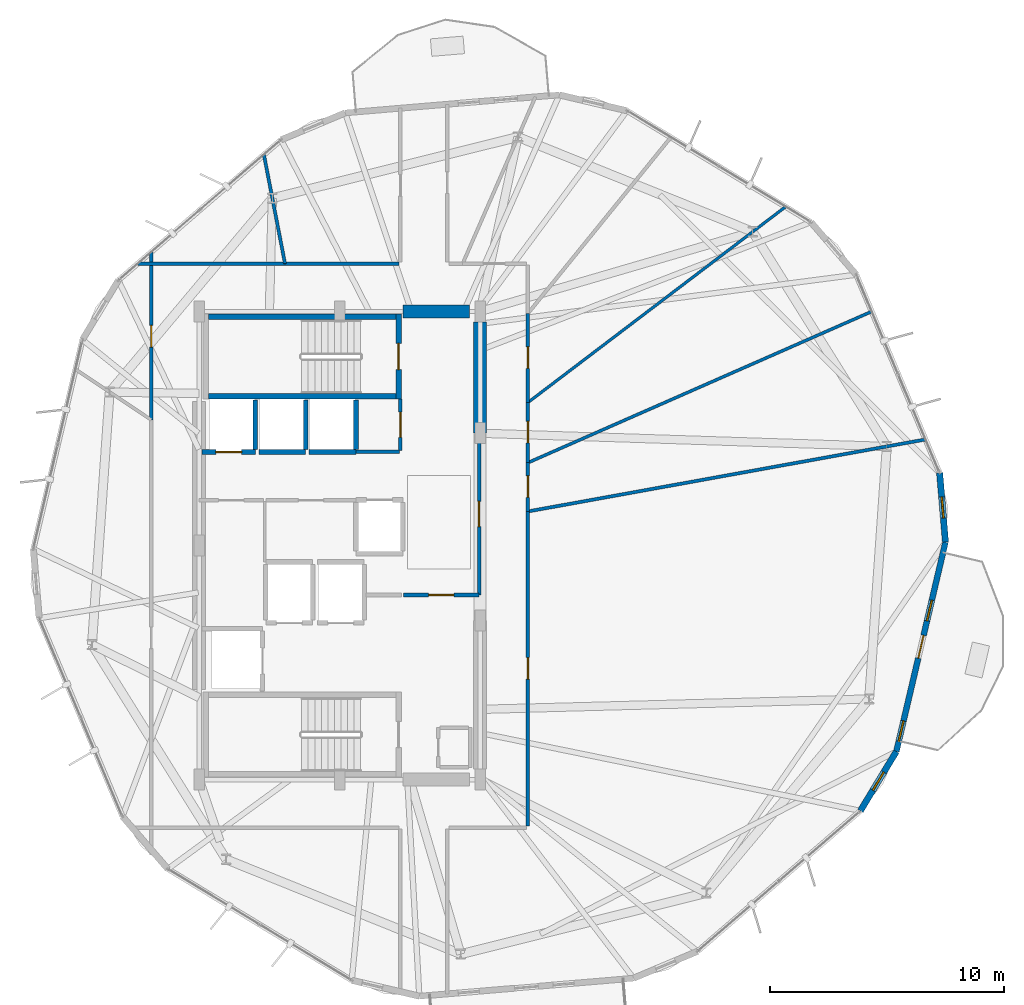
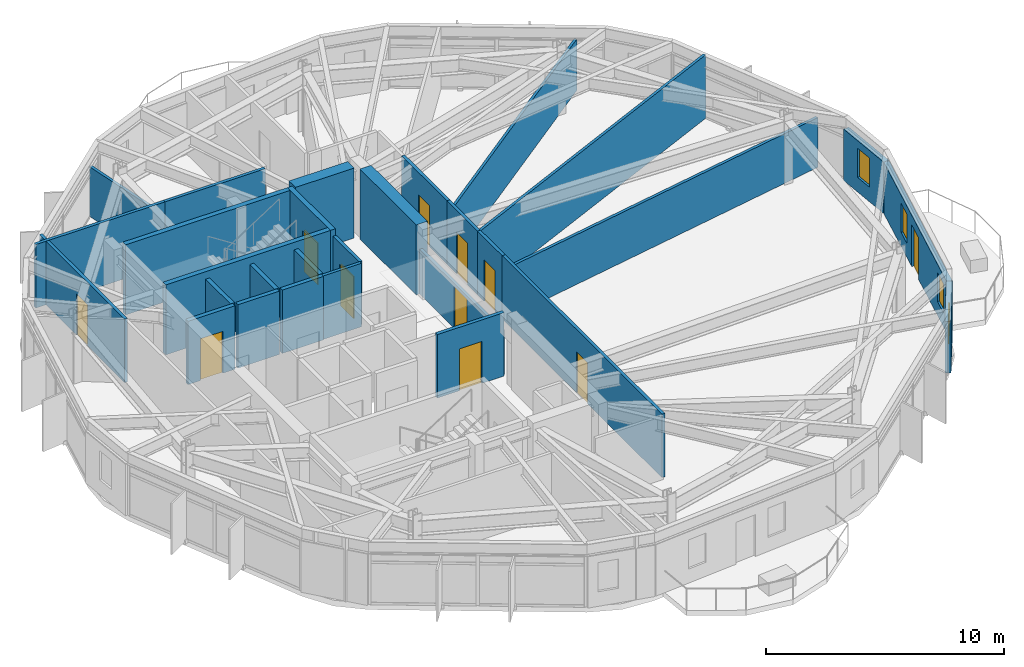
# One storey, part 23 of 27: 29 walls, 11 doors, 4 windows, 15 openings.
"""IFC4 building model written with IfcOpenShell, lengths in metres."""

from ifc_helpers import new_model, si_unit, direction, frame, frame_2d, origin, place, context, subcontext, project, spatial, rectangle, extrude, material, layer, layer_set, type_object, element, fill, save


model = new_model("IFC4")

# Units and contexts
model_context = context("Model", 3, precision=1e-05, world=origin(), true_north=direction((0.0, 1.0)))
body_context = subcontext(model_context, "Body", "Model", "MODEL_VIEW")
ifc_project = project(units=[si_unit("LENGTHUNIT", "METRE"), si_unit("AREAUNIT", "SQUARE_METRE"), si_unit("VOLUMEUNIT", "CUBIC_METRE"), si_unit("PLANEANGLEUNIT", "RADIAN"), si_unit("MASSUNIT", "GRAM", prefix="KILO")], contexts=[model_context])

# Site, building, storey
site_placement = place(None, origin())
site = spatial("IfcSite", under=ifc_project, at=site_placement, CompositionType="ELEMENT")
building_placement = place(site_placement, origin())
building = spatial("IfcBuilding", under=site, at=building_placement, Name="Soratama Intermodal Tower", CompositionType="ELEMENT")
storey_placement = place(building_placement, frame((0.0, 0.0, 182.199951171875)))
storey = spatial("IfcBuildingStorey", under=building, at=storey_placement, Name="L45", CompositionType="ELEMENT", Elevation=182.199951171875)

# Wall, openings, door, windows
ifc_material_1 = material(Name="Concrete f'c 42 MPa", Category="concrete")
ifc_layer_1 = layer(ifc_material_1, 0.25)
ifc_layer_set_1 = layer_set([ifc_layer_1], Name="Concrete f'c 42 MPa")
wall_type_1 = type_object("IfcWallType", Name="EW-BAL-250", PredefinedType="SOLIDWALL", material=ifc_layer_set_1)
wall_1_placement = place(storey_placement, frame((62.3896484375, 16.20263671875, 0.0), z_axis=(0.0, 0.0, 1.0), x_axis=(0.228355040526, 0.973577924702, 0.0)))
wall_1 = element("IfcWall", 1, at=wall_1_placement, inside=storey, type_object=wall_type_1, Name="L45 Terrace Wall F09", PredefinedType="SOLIDWALL", context=body_context, shape_type="SweptSolid", body=[
    extrude(rectangle(XDim=9.18798828125, YDim=0.25, at=frame_2d((4.593994140625, 0.0))), origin(), (0.0, 0.0, 1.0), 2.63916015625),
])
opening_1_placement = place(wall_1_placement, frame((4.093994140625, 0.0, 0.0)))
opening_1 = element("IfcOpeningElement", 2, at=opening_1_placement, cuts=wall_1, Name="Opening ED-2", PredefinedType="OPENING", context=body_context, shape_type="SweptSolid", body=[
    extrude(rectangle(XDim=1.0, YDim=2.14990234375, at=frame_2d((0.5, 1.074951171875))), frame((0.0, 0.135009765625, 0.0), z_axis=(0.0, -1.0, 0.0), x_axis=(1.0, 0.0, 0.0)), (0.0, 0.0, 1.0), 0.27001953125),
])
opening_2_placement = place(wall_1_placement, frame((0.43994140625, 0.0, 0.719970703125)))
opening_2 = element("IfcOpeningElement", 3, at=opening_2_placement, cuts=wall_1, Name="Opening WN-6", PredefinedType="OPENING", context=body_context, shape_type="SweptSolid", body=[
    extrude(rectangle(XDim=0.89990234375, YDim=1.5, at=frame_2d((0.449951171875, 0.75))), frame((0.0, 0.135009765625, 0.0), z_axis=(0.0, -1.0, 0.0), x_axis=(1.0, 0.0, 0.0)), (0.0, 0.0, 1.0), 0.27001953125),
])
opening_3_placement = place(wall_1_placement, frame((5.73388671875, 0.0, 0.719970703125)))
opening_3 = element("IfcOpeningElement", 4, at=opening_3_placement, cuts=wall_1, Name="Opening WN-6", PredefinedType="OPENING", context=body_context, shape_type="SweptSolid", body=[
    extrude(rectangle(XDim=0.89990234375, YDim=1.5, at=frame_2d((0.449951171875, 0.75))), frame((0.0, 0.135009765625, 0.0), z_axis=(0.0, -1.0, 0.0), x_axis=(1.0, 0.0, 0.0)), (0.0, 0.0, 1.0), 0.27001953125),
])
ifc_material_2 = material(Name="Double-glazed aluminium door", Category="aluminium")
door_type_1 = type_object("IfcDoorType", Name="DR-BAL-1000", OperationType="NOTDEFINED", PredefinedType="DOOR", material=ifc_material_2)
door_1_placement = place(opening_1_placement, origin())
door_1 = element("IfcDoor", 5, at=door_1_placement, inside=storey, type_object=door_type_1, Name="L45 Balcony Door F09", OperationType="SINGLE_SWING_LEFT", OverallHeight=2.14990234375, OverallWidth=1.0, PredefinedType="DOOR", context=body_context, shape_type="SweptSolid", body=[
    extrude(rectangle(XDim=1.0, YDim=2.14990234375, at=frame_2d((0.5, 1.074951171875))), frame((0.0, 0.02490234375, 0.0), z_axis=(0.0, -1.0, 0.0), x_axis=(1.0, 0.0, 0.0)), (0.0, 0.0, 1.0), 0.050048828125),
])
fill(opening_1, door_1)
ifc_material_3 = material(Name="Double-glazed aluminium window", Category="aluminium")
window_type = type_object("IfcWindowType", Name="WN-FAC-900", PartitioningType="SINGLE_PANEL", PredefinedType="WINDOW", material=ifc_material_3)
window_1_placement = place(opening_2_placement, origin())
window_1 = element("IfcWindow", 6, at=window_1_placement, inside=storey, type_object=window_type, Name="L45 Window A F09", OverallHeight=1.5, OverallWidth=0.89990234375, PartitioningType="SINGLE_PANEL", PredefinedType="WINDOW", context=body_context, shape_type="SweptSolid", body=[
    extrude(rectangle(XDim=0.89990234375, YDim=1.5, at=frame_2d((0.449951171875, 0.75))), frame((0.0, 0.030029296875, 0.0), z_axis=(0.0, -1.0, 0.0), x_axis=(1.0, 0.0, 0.0)), (0.0, 0.0, 1.0), 0.06005859375),
])
fill(opening_2, window_1)
window_2_placement = place(opening_3_placement, origin())
window_2 = element("IfcWindow", 7, at=window_2_placement, inside=storey, type_object=window_type, Name="L45 Window B F09", OverallHeight=1.5, OverallWidth=0.89990234375, PartitioningType="SINGLE_PANEL", PredefinedType="WINDOW", context=body_context, shape_type="SweptSolid", body=[
    extrude(rectangle(XDim=0.89990234375, YDim=1.5, at=frame_2d((0.449951171875, 0.75))), frame((0.0, 0.030029296875, 0.0), z_axis=(0.0, -1.0, 0.0), x_axis=(1.0, 0.0, 0.0)), (0.0, 0.0, 1.0), 0.06005859375),
])
fill(opening_3, window_2)

# Wall, opening, window
ifc_material_4 = material(Name="Concrete f'c 42 MPa", Category="concrete")
ifc_layer_2 = layer(ifc_material_4, 0.27001953125)
ifc_layer_set_2 = layer_set([ifc_layer_2], Name="Concrete f'c 42 MPa")
wall_type_2 = type_object("IfcWallType", Name="EW-CRN-270", PredefinedType="SOLIDWALL", material=ifc_layer_set_2)
wall_2_placement = place(storey_placement, frame((60.852783203125, 13.6650390625, 0.0), z_axis=(0.0, 0.0, 1.0), x_axis=(0.518037235883, 0.855358066683, 0.0)))
wall_2 = element("IfcWall", 8, at=wall_2_placement, inside=storey, type_object=wall_type_2, Name="L45 Corner Closure Wall 08", PredefinedType="SOLIDWALL", context=body_context, shape_type="SweptSolid", body=[
    extrude(rectangle(XDim=2.966796875, YDim=0.27001953125, at=frame_2d((1.4833984375, 0.0))), origin(), (0.0, 0.0, 1.0), 2.63916015625),
])
opening_4_placement = place(wall_2_placement, frame((1.033203125, 0.0, 0.75)))
opening_4 = element("IfcOpeningElement", 9, at=opening_4_placement, cuts=wall_2, Name="Opening WN-6", PredefinedType="OPENING", context=body_context, shape_type="SweptSolid", body=[
    extrude(rectangle(XDim=0.89990234375, YDim=1.5, at=frame_2d((0.449951171875, 0.75))), frame((0.0, 0.14501953125, 0.0), z_axis=(0.0, -1.0, 0.0), x_axis=(1.0, 0.0, 0.0)), (0.0, 0.0, 1.0), 0.2900390625),
])
window_3_placement = place(opening_4_placement, origin())
window_3 = element("IfcWindow", 10, at=window_3_placement, inside=storey, type_object=window_type, Name="L45 Corner Window 08", OverallHeight=1.5, OverallWidth=0.89990234375, PartitioningType="SINGLE_PANEL", PredefinedType="WINDOW", context=body_context, shape_type="SweptSolid", body=[
    extrude(rectangle(XDim=0.89990234375, YDim=1.5, at=frame_2d((0.449951171875, 0.75))), frame((0.0, 0.030029296875, 0.0), z_axis=(0.0, -1.0, 0.0), x_axis=(1.0, 0.0, 0.0)), (0.0, 0.0, 1.0), 0.06005859375),
])
fill(opening_4, window_3)

wall_3_placement = place(storey_placement, frame((64.48779296875, 25.14794921875, 0.0), z_axis=(0.0, 0.0, 1.0), x_axis=(-0.083699323031, 0.996491055316, 0.0)))
wall_3 = element("IfcWall", 11, at=wall_3_placement, inside=storey, type_object=wall_type_2, Name="L45 Corner Closure Wall 09", PredefinedType="SOLIDWALL", context=body_context, shape_type="SweptSolid", body=[
    extrude(rectangle(XDim=2.966552734375, YDim=0.27001953125, at=frame_2d((1.4833984375, 0.0))), origin(), (0.0, 0.0, 1.0), 2.63916015625),
])
opening_5_placement = place(wall_3_placement, frame((1.033203125, 0.0, 0.75)))
opening_5 = element("IfcOpeningElement", 12, at=opening_5_placement, cuts=wall_3, Name="Opening WN-6", PredefinedType="OPENING", context=body_context, shape_type="SweptSolid", body=[
    extrude(rectangle(XDim=0.89990234375, YDim=1.5, at=frame_2d((0.449951171875, 0.75))), frame((0.0, 0.14501953125, 0.0), z_axis=(0.0, -1.0, 0.0), x_axis=(1.0, 0.0, 0.0)), (0.0, 0.0, 1.0), 0.2900390625),
])
window_4_placement = place(opening_5_placement, origin())
window_4 = element("IfcWindow", 13, at=window_4_placement, inside=storey, type_object=window_type, Name="L45 Corner Window 09", OverallHeight=1.5, OverallWidth=0.89990234375, PartitioningType="SINGLE_PANEL", PredefinedType="WINDOW", context=body_context, shape_type="SweptSolid", body=[
    extrude(rectangle(XDim=0.89990234375, YDim=1.5, at=frame_2d((0.449951171875, 0.75))), frame((0.0, 0.030029296875, 0.0), z_axis=(0.0, -1.0, 0.0), x_axis=(1.0, 0.0, 0.0)), (0.0, 0.0, 1.0), 0.06005859375),
])
fill(opening_5, window_4)

# Wall, opening, door
ifc_material_5 = material(Name="Fire-rated gypsum stud partition", Category="concrete")
ifc_layer_3 = layer(ifc_material_5, 0.14990234375)
ifc_layer_set_3 = layer_set([ifc_layer_3], Name="Fire-rated gypsum stud partition")
wall_type_3 = type_object("IfcWallType", Name="IW-PART-R150", PredefinedType="PARTITIONING", material=ifc_layer_set_3)
wall_4_placement = place(storey_placement, frame((46.64990234375, 26.4580078125, 0.0), z_axis=(0.0, 0.0, 1.0), x_axis=(0.0, -1.0, 0.0)))
wall_4 = element("IfcWall", 14, at=wall_4_placement, inside=storey, type_object=wall_type_3, Name="L45 Partition W-L45-TP005", PredefinedType="PARTITIONING", context=body_context, shape_type="SweptSolid", body=[
    extrude(rectangle(XDim=13.43798828125, YDim=0.14990234375, at=frame_2d((6.718994140625, 0.0))), origin(), (0.0, 0.0, 1.0), 3.260009765625),
])
opening_6_placement = place(wall_4_placement, frame((6.243896484375, 0.0, 0.0)))
opening_6 = element("IfcOpeningElement", 15, at=opening_6_placement, cuts=wall_4, Name="Opening ID-6", PredefinedType="OPENING", context=body_context, shape_type="SweptSolid", body=[
    extrude(rectangle(XDim=0.919921875, YDim=2.1201171875, at=frame_2d((0.4599609375, 1.06005859375))), frame((0.0, 0.0849609375, 0.0), z_axis=(0.0, -1.0, 0.0), x_axis=(1.0, 0.0, 0.0)), (0.0, 0.0, 1.0), 0.169921875),
])
ifc_material_6 = material(Name="Solid hardwood acoustic door", Category="wood")
door_type_2 = type_object("IfcDoorType", Name="DR-ROOM-920", OperationType="NOTDEFINED", PredefinedType="DOOR", material=ifc_material_6)
door_2_placement = place(opening_6_placement, origin())
door_2 = element("IfcDoor", 16, at=door_2_placement, inside=storey, type_object=door_type_2, Name="L45 Door D-L45-TP002", OperationType="SINGLE_SWING_LEFT", OverallHeight=2.1201171875, OverallWidth=0.919921875, PredefinedType="DOOR", context=body_context, shape_type="SweptSolid", body=[
    extrude(rectangle(XDim=0.919921875, YDim=2.1201171875, at=frame_2d((0.4599609375, 1.06005859375))), frame((0.0, 0.02490234375, 0.0), z_axis=(0.0, -1.0, 0.0), x_axis=(1.0, 0.0, 0.0)), (0.0, 0.0, 1.0), 0.050048828125),
])
fill(opening_6, door_2)

wall_5_placement = place(storey_placement, frame((30.550048828125, 30.3701171875, 0.0), z_axis=(0.0, 0.0, 1.0), x_axis=(0.0, 1.0, 0.0)))
wall_5 = element("IfcWall", 17, at=wall_5_placement, inside=storey, type_object=wall_type_3, Name="L45 Partition W-L45-TP009", PredefinedType="PARTITIONING", context=body_context, shape_type="SweptSolid", body=[
    extrude(rectangle(XDim=7.17578125, YDim=0.14990234375, at=frame_2d((3.587890625, 0.0))), origin(), (0.0, 0.0, 1.0), 3.260009765625),
])
opening_7_placement = place(wall_5_placement, frame((3.113037109375, 0.0, 0.0)))
opening_7 = element("IfcOpeningElement", 18, at=opening_7_placement, cuts=wall_5, Name="Opening ID-6", PredefinedType="OPENING", context=body_context, shape_type="SweptSolid", body=[
    extrude(rectangle(XDim=0.919921875, YDim=2.1201171875, at=frame_2d((0.4599609375, 1.06005859375))), frame((0.0, 0.0849609375, 0.0), z_axis=(0.0, -1.0, 0.0), x_axis=(1.0, 0.0, 0.0)), (0.0, 0.0, 1.0), 0.169921875),
])
door_3_placement = place(opening_7_placement, origin())
door_3 = element("IfcDoor", 19, at=door_3_placement, inside=storey, type_object=door_type_2, Name="L45 Door D-L45-TP003", OperationType="SINGLE_SWING_RIGHT", OverallHeight=2.1201171875, OverallWidth=0.919921875, PredefinedType="DOOR", context=body_context, shape_type="SweptSolid", body=[
    extrude(rectangle(XDim=0.919921875, YDim=2.1201171875, at=frame_2d((0.4599609375, 1.06005859375))), frame((0.0, 0.02490234375, 0.0), z_axis=(0.0, -1.0, 0.0), x_axis=(1.0, 0.0, 0.0)), (0.0, 0.0, 1.0), 0.050048828125),
])
fill(opening_7, door_3)

wall_6_placement = place(storey_placement, frame((44.56005859375, 29.800048828125, 0.0), z_axis=(0.0, 0.0, 1.0), x_axis=(0.0, -1.0, 0.0)))
wall_6 = element("IfcWall", 20, at=wall_6_placement, inside=storey, type_object=wall_type_3, Name="L45 Partition W-L45-TP012", PredefinedType="PARTITIONING", context=body_context, shape_type="SweptSolid", body=[
    extrude(rectangle(XDim=6.91015625, YDim=0.14990234375, at=frame_2d((3.455078125, 0.0))), origin(), (0.0, 0.0, 1.0), 2.300048828125),
])
opening_8_placement = place(wall_6_placement, frame((2.9150390625, 0.0, 0.0)))
opening_8 = element("IfcOpeningElement", 21, at=opening_8_placement, cuts=wall_6, Name="Opening ID-1", PredefinedType="OPENING", context=body_context, shape_type="SweptSolid", body=[
    extrude(rectangle(XDim=1.080078125, YDim=2.14990234375, at=frame_2d((0.5400390625, 1.074951171875))), frame((0.0, 0.0849609375, 0.0), z_axis=(0.0, -1.0, 0.0), x_axis=(1.0, 0.0, 0.0)), (0.0, 0.0, 1.0), 0.169921875),
])
ifc_material_7 = material(Name="Solid hardwood acoustic door", Category="wood")
door_type_3 = type_object("IfcDoorType", Name="DR-LOB-FD60", OperationType="NOTDEFINED", PredefinedType="DOOR", material=ifc_material_7)
door_4_placement = place(opening_8_placement, origin())
door_4 = element("IfcDoor", 22, at=door_4_placement, inside=storey, type_object=door_type_3, Name="L45 Door D-L45-TP004", OperationType="SINGLE_SWING_LEFT", OverallHeight=2.14990234375, OverallWidth=1.080078125, PredefinedType="DOOR", context=body_context, shape_type="SweptSolid", body=[
    extrude(rectangle(XDim=1.080078125, YDim=2.14990234375, at=frame_2d((0.5400390625, 1.074951171875))), frame((0.0, 0.02490234375, 0.0), z_axis=(0.0, -1.0, 0.0), x_axis=(1.0, 0.0, 0.0)), (0.0, 0.0, 1.0), 0.050048828125),
])
fill(opening_8, door_4)

# Walls
wall_7_placement = place(storey_placement, frame((29.97607421875, 37.050048828125, 0.0), z_axis=(0.0, 0.0, 1.0), x_axis=(1.0, 0.0, 0.0)))
element("IfcWall", 23, at=wall_7_placement, inside=storey, type_object=wall_type_3, Name="L45 Partition W-L45-TP015", PredefinedType="PARTITIONING", context=body_context, shape_type="SweptSolid", body=[
    extrude(rectangle(XDim=6.291015625, YDim=0.14990234375, at=frame_2d((3.1455078125, 0.0))), origin(), (0.0, 0.0, 1.0), 3.260009765625),
])
wall_8_placement = place(storey_placement, frame((36.26708984375, 37.050048828125, 0.0), z_axis=(0.0, 0.0, 1.0), x_axis=(1.0, 0.0, 0.0)))
element("IfcWall", 24, at=wall_8_placement, inside=storey, type_object=wall_type_3, Name="L45 Partition W-L45-TP016", PredefinedType="PARTITIONING", context=body_context, shape_type="SweptSolid", body=[
    extrude(rectangle(XDim=4.86279296875, YDim=0.14990234375, at=frame_2d((2.431396484375, 0.0))), origin(), (0.0, 0.0, 1.0), 3.260009765625),
])

# Wall, opening, door
wall_9_placement = place(storey_placement, frame((46.64990234375, 34.9208984375, 0.0), z_axis=(0.0, 0.0, 1.0), x_axis=(0.0, -1.0, 0.0)))
wall_9 = element("IfcWall", 25, at=wall_9_placement, inside=storey, type_object=wall_type_3, Name="L45 Partition W-L45-TP020", PredefinedType="PARTITIONING", context=body_context, shape_type="SweptSolid", body=[
    extrude(rectangle(XDim=3.805908203125, YDim=0.14990234375, at=frame_2d((1.90283203125, 0.0))), origin(), (0.0, 0.0, 1.0), 3.260009765625),
])
opening_9_placement = place(wall_9_placement, frame((1.427978515625, 0.0, 0.0)))
opening_9 = element("IfcOpeningElement", 26, at=opening_9_placement, cuts=wall_9, Name="Opening ID-6", PredefinedType="OPENING", context=body_context, shape_type="SweptSolid", body=[
    extrude(rectangle(XDim=0.919921875, YDim=2.1201171875, at=frame_2d((0.4599609375, 1.06005859375))), frame((0.0, 0.0849609375, 0.0), z_axis=(0.0, -1.0, 0.0), x_axis=(1.0, 0.0, 0.0)), (0.0, 0.0, 1.0), 0.169921875),
])
door_5_placement = place(opening_9_placement, origin())
door_5 = element("IfcDoor", 27, at=door_5_placement, inside=storey, type_object=door_type_2, Name="L45 Door D-L45-TP008", OperationType="SINGLE_SWING_LEFT", OverallHeight=2.1201171875, OverallWidth=0.919921875, PredefinedType="DOOR", context=body_context, shape_type="SweptSolid", body=[
    extrude(rectangle(XDim=0.919921875, YDim=2.1201171875, at=frame_2d((0.4599609375, 1.06005859375))), frame((0.0, 0.02490234375, 0.0), z_axis=(0.0, -1.0, 0.0), x_axis=(1.0, 0.0, 0.0)), (0.0, 0.0, 1.0), 0.050048828125),
])
fill(opening_9, door_5)

wall_10_placement = place(storey_placement, frame((46.64990234375, 31.114990234375, 0.0), z_axis=(0.0, 0.0, 1.0), x_axis=(0.0, -1.0, 0.0)))
wall_10 = element("IfcWall", 28, at=wall_10_placement, inside=storey, type_object=wall_type_3, Name="L45 Partition W-L45-TP026", PredefinedType="PARTITIONING", context=body_context, shape_type="SweptSolid", body=[
    extrude(rectangle(XDim=2.573974609375, YDim=0.14990234375, at=frame_2d((1.287109375, 0.0))), origin(), (0.0, 0.0, 1.0), 3.260009765625),
])
opening_10_placement = place(wall_10_placement, frame((0.81201171875, 0.0, 0.0)))
opening_10 = element("IfcOpeningElement", 29, at=opening_10_placement, cuts=wall_10, Name="Opening ID-6", PredefinedType="OPENING", context=body_context, shape_type="SweptSolid", body=[
    extrude(rectangle(XDim=0.919921875, YDim=2.1201171875, at=frame_2d((0.4599609375, 1.06005859375))), frame((0.0, 0.0849609375, 0.0), z_axis=(0.0, -1.0, 0.0), x_axis=(1.0, 0.0, 0.0)), (0.0, 0.0, 1.0), 0.169921875),
])
door_6_placement = place(opening_10_placement, origin())
door_6 = element("IfcDoor", 30, at=door_6_placement, inside=storey, type_object=door_type_2, Name="L45 Door D-L45-TP012", OperationType="SINGLE_SWING_LEFT", OverallHeight=2.1201171875, OverallWidth=0.919921875, PredefinedType="DOOR", context=body_context, shape_type="SweptSolid", body=[
    extrude(rectangle(XDim=0.919921875, YDim=2.1201171875, at=frame_2d((0.4599609375, 1.06005859375))), frame((0.0, 0.02490234375, 0.0), z_axis=(0.0, -1.0, 0.0), x_axis=(1.0, 0.0, 0.0)), (0.0, 0.0, 1.0), 0.050048828125),
])
fill(opening_10, door_6)

wall_11_placement = place(storey_placement, frame((41.199951171875, 29.070068359375, 0.0), z_axis=(0.0, 0.0, 1.0), x_axis=(0.0, 1.0, 0.0)))
wall_11 = element("IfcWall", 31, at=wall_11_placement, inside=storey, type_object=wall_type_3, Name="L45 Partition W-L45-TP027", PredefinedType="PARTITIONING", context=body_context, shape_type="SweptSolid", body=[
    extrude(rectangle(XDim=2.18994140625, YDim=0.14990234375, at=frame_2d((1.094970703125, 0.0))), origin(), (0.0, 0.0, 1.0), 3.260009765625),
])
opening_11_placement = place(wall_11_placement, frame((0.554931640625, 0.0, 0.0)))
opening_11 = element("IfcOpeningElement", 32, at=opening_11_placement, cuts=wall_11, Name="Opening ID-1", PredefinedType="OPENING", context=body_context, shape_type="SweptSolid", body=[
    extrude(rectangle(XDim=1.080078125, YDim=2.14990234375, at=frame_2d((0.5400390625, 1.074951171875))), frame((0.0, 0.0849609375, 0.0), z_axis=(0.0, -1.0, 0.0), x_axis=(1.0, 0.0, 0.0)), (0.0, 0.0, 1.0), 0.169921875),
])
door_7_placement = place(opening_11_placement, origin())
door_7 = element("IfcDoor", 33, at=door_7_placement, inside=storey, type_object=door_type_3, Name="L45 Door D-L45-TP013", OperationType="SINGLE_SWING_RIGHT", OverallHeight=2.14990234375, OverallWidth=1.080078125, PredefinedType="DOOR", context=body_context, shape_type="SweptSolid", body=[
    extrude(rectangle(XDim=1.080078125, YDim=2.14990234375, at=frame_2d((0.5400390625, 1.074951171875))), frame((0.0, 0.02490234375, 0.0), z_axis=(0.0, -1.0, 0.0), x_axis=(1.0, 0.0, 0.0)), (0.0, 0.0, 1.0), 0.050048828125),
])
fill(opening_11, door_7)

wall_12_placement = place(storey_placement, frame((46.64990234375, 28.541015625, 0.0), z_axis=(0.0, 0.0, 1.0), x_axis=(0.0, -1.0, 0.0)))
wall_12 = element("IfcWall", 34, at=wall_12_placement, inside=storey, type_object=wall_type_3, Name="L45 Partition W-L45-TP028", PredefinedType="PARTITIONING", context=body_context, shape_type="SweptSolid", body=[
    extrude(rectangle(XDim=2.0830078125, YDim=0.14990234375, at=frame_2d((1.04150390625, 0.0))), origin(), (0.0, 0.0, 1.0), 3.260009765625),
])
opening_12_placement = place(wall_12_placement, frame((0.56689453125, 0.0, 0.0)))
opening_12 = element("IfcOpeningElement", 35, at=opening_12_placement, cuts=wall_12, Name="Opening ID-6", PredefinedType="OPENING", context=body_context, shape_type="SweptSolid", body=[
    extrude(rectangle(XDim=0.919921875, YDim=2.1201171875, at=frame_2d((0.4599609375, 1.06005859375))), frame((0.0, 0.0849609375, 0.0), z_axis=(0.0, -1.0, 0.0), x_axis=(1.0, 0.0, 0.0)), (0.0, 0.0, 1.0), 0.169921875),
])
door_8_placement = place(opening_12_placement, origin())
door_8 = element("IfcDoor", 36, at=door_8_placement, inside=storey, type_object=door_type_2, Name="L45 Door D-L45-TP014", OperationType="SINGLE_SWING_LEFT", OverallHeight=2.1201171875, OverallWidth=0.919921875, PredefinedType="DOOR", context=body_context, shape_type="SweptSolid", body=[
    extrude(rectangle(XDim=0.919921875, YDim=2.1201171875, at=frame_2d((0.4599609375, 1.06005859375))), frame((0.0, 0.02490234375, 0.0), z_axis=(0.0, -1.0, 0.0), x_axis=(1.0, 0.0, 0.0)), (0.0, 0.0, 1.0), 0.050048828125),
])
fill(opening_12, door_8)

# Wall
wall_13_placement = place(storey_placement, frame((39.300048828125, 29.010009765625, 0.0), z_axis=(0.0, 0.0, 1.0), x_axis=(1.0, 0.0, 0.0)))
element("IfcWall", 37, at=wall_13_placement, inside=storey, type_object=wall_type_3, Name="L45 Partition W-L45-TP030", PredefinedType="PARTITIONING", context=body_context, shape_type="SweptSolid", body=[
    extrude(rectangle(XDim=1.85986328125, YDim=0.14990234375, at=frame_2d((0.929931640625, 0.0))), origin(), (0.0, 0.0, 1.0), 3.260009765625),
])

# Wall, opening, door
ifc_material_8 = material(Name="Fire-rated gypsum stud partition", Category="concrete")
ifc_layer_4 = layer(ifc_material_8, 0.169921875)
ifc_layer_set_4 = layer_set([ifc_layer_4], Name="Fire-rated gypsum stud partition")
wall_type_4 = type_object("IfcWallType", Name="IW-PART-R170", PredefinedType="PARTITIONING", material=ifc_layer_set_4)
wall_14_placement = place(storey_placement, frame((41.320068359375, 22.889892578125, 0.0), z_axis=(0.0, 0.0, 1.0), x_axis=(1.0, 0.0, 0.0)))
wall_14 = element("IfcWall", 38, at=wall_14_placement, inside=storey, type_object=wall_type_4, Name="L45 Partition W-L45-TP022", PredefinedType="PARTITIONING", context=body_context, shape_type="SweptSolid", body=[
    extrude(rectangle(XDim=3.239990234375, YDim=0.169921875, at=frame_2d((1.6201171875, 0.0))), origin(), (0.0, 0.0, 1.0), 3.260009765625),
])
opening_13_placement = place(wall_14_placement, frame((1.080078125, 0.0, 0.0)))
opening_13 = element("IfcOpeningElement", 39, at=opening_13_placement, cuts=wall_14, Name="Opening ID-0", PredefinedType="OPENING", context=body_context, shape_type="SweptSolid", body=[
    extrude(rectangle(XDim=1.080078125, YDim=2.14990234375, at=frame_2d((0.5400390625, 1.074951171875))), frame((0.0, 0.094970703125, 0.0), z_axis=(0.0, -1.0, 0.0), x_axis=(1.0, 0.0, 0.0)), (0.0, 0.0, 1.0), 0.18994140625),
])
ifc_material_9 = material(Name="Solid hardwood acoustic door", Category="wood")
door_type_4 = type_object("IfcDoorType", Name="DR-LOB-FD90", OperationType="NOTDEFINED", PredefinedType="DOOR", material=ifc_material_9)
door_9_placement = place(opening_13_placement, origin())
door_9 = element("IfcDoor", 40, at=door_9_placement, inside=storey, type_object=door_type_4, Name="L45 Door D-L45-TP009", OperationType="SINGLE_SWING_RIGHT", OverallHeight=2.14990234375, OverallWidth=1.080078125, PredefinedType="DOOR", context=body_context, shape_type="SweptSolid", body=[
    extrude(rectangle(XDim=1.080078125, YDim=2.14990234375, at=frame_2d((0.5400390625, 1.074951171875))), frame((0.0, 0.02490234375, 0.0), z_axis=(0.0, -1.0, 0.0), x_axis=(1.0, 0.0, 0.0)), (0.0, 0.0, 1.0), 0.050048828125),
])
fill(opening_13, door_9)

# Walls
ifc_material_10 = material(Name="Fire-rated gypsum stud partition", Category="concrete")
ifc_layer_5 = layer(ifc_material_10, 0.1201171875)
ifc_layer_set_5 = layer_set([ifc_layer_5], Name="Fire-rated gypsum stud partition")
wall_type_5 = type_object("IfcWallType", Name="IW-PART-S120", PredefinedType="PARTITIONING", material=ifc_layer_set_5)
wall_15_placement = place(storey_placement, frame((46.64990234375, 31.114990234375, 0.0), z_axis=(0.0, 0.0, 1.0), x_axis=(0.796337772152, 0.604852174208, 0.0)))
element("IfcWall", 41, at=wall_15_placement, inside=storey, type_object=wall_type_5, Name="L45 Partition W-L45-TP004", PredefinedType="PARTITIONING", context=body_context, shape_type="SweptSolid", body=[
    extrude(rectangle(XDim=13.8232421875, YDim=0.1201171875, at=frame_2d((6.91162109375, 0.0))), origin(), (0.0, 0.0, 1.0), 2.637939453125),
])
ifc_material_11 = material(Name="Fire-rated gypsum stud partition", Category="concrete")
ifc_layer_6 = layer(ifc_material_11, 0.1298828125)
ifc_layer_set_6 = layer_set([ifc_layer_6], Name="Fire-rated gypsum stud partition")
wall_type_6 = type_object("IfcWallType", Name="IW-PART-S130", PredefinedType="PARTITIONING", material=ifc_layer_set_6)
wall_16_placement = place(storey_placement, frame((46.64990234375, 28.541015625, 0.0), z_axis=(0.0, 0.0, 1.0), x_axis=(0.915378055005, 0.402595350712, 0.0)))
element("IfcWall", 42, at=wall_16_placement, inside=storey, type_object=wall_type_6, Name="L45 Partition W-L45-TP003", PredefinedType="PARTITIONING", context=body_context, shape_type="SweptSolid", body=[
    extrude(rectangle(XDim=16.048095703125, YDim=0.1298828125, at=frame_2d((8.02392578125, 0.0))), origin(), (0.0, 0.0, 1.0), 3.260009765625),
])
ifc_material_12 = material(Name="Fire-rated gypsum stud partition", Category="concrete")
ifc_layer_7 = layer(ifc_material_12, 0.139892578125)
ifc_layer_set_7 = layer_set([ifc_layer_7], Name="Fire-rated gypsum stud partition")
wall_type_7 = type_object("IfcWallType", Name="IW-PART-S140", PredefinedType="PARTITIONING", material=ifc_layer_set_7)
wall_17_placement = place(storey_placement, frame((63.638916015625, 29.533935546875, 0.0), z_axis=(0.0, 0.0, 1.0), x_axis=(-0.984001996819, -0.1781574311, 0.0)))
element("IfcWall", 43, at=wall_17_placement, inside=storey, type_object=wall_type_7, Name="L45 Partition W-L45-TP002", PredefinedType="PARTITIONING", context=body_context, shape_type="SweptSolid", body=[
    extrude(rectangle(XDim=17.26513671875, YDim=0.139892578125, at=frame_2d((8.632568359375, 0.0))), origin(), (0.0, 0.0, 1.0), 2.554931640625),
])
wall_18_placement = place(storey_placement, frame((36.26708984375, 37.050048828125, 0.0), z_axis=(0.0, 0.0, 1.0), x_axis=(-0.190138832586, 0.981757212524, 0.0)))
element("IfcWall", 44, at=wall_18_placement, inside=storey, type_object=wall_type_7, Name="L45 Partition W-L45-TP017", PredefinedType="PARTITIONING", context=body_context, shape_type="SweptSolid", body=[
    extrude(rectangle(XDim=4.7392578125, YDim=0.139892578125, at=frame_2d((2.36962890625, 0.0))), origin(), (0.0, 0.0, 1.0), 2.554931640625),
])

# Wall, opening, door
ifc_material_13 = material(Name="Concrete f'c 42 MPa", Category="concrete")
ifc_layer_8 = layer(ifc_material_13, 0.199951171875)
ifc_layer_set_8 = layer_set([ifc_layer_8], Name="Concrete f'c 42 MPa")
wall_type_8 = type_object("IfcWallType", Name="IW-SHAFT-200", PredefinedType="SOLIDWALL", material=ifc_layer_set_8)
wall_19_placement = place(storey_placement, frame((32.719970703125, 29.0, 0.0), z_axis=(0.0, 0.0, 1.0), x_axis=(1.0, 0.0, 0.0)))
wall_19 = element("IfcWall", 45, at=wall_19_placement, inside=storey, type_object=wall_type_8, Name="L45 PL-M2 Hoistway Wall S", PredefinedType="SOLIDWALL", context=body_context, shape_type="SweptSolid", body=[
    extrude(rectangle(XDim=2.280029296875, YDim=0.199951171875, at=frame_2d((1.14013671875, 0.0))), origin(), (0.0, 0.0, 1.0), 3.260009765625),
])
opening_14_placement = place(wall_19_placement, frame((0.590087890625, 0.0, 0.0)))
opening_14 = element("IfcOpeningElement", 46, at=opening_14_placement, cuts=wall_19, Name="Opening LD-1", PredefinedType="OPENING", context=body_context, shape_type="SweptSolid", body=[
    extrude(rectangle(XDim=1.10009765625, YDim=2.14990234375, at=frame_2d((0.550048828125, 1.074951171875))), frame((0.0, 0.10986328125, 0.0), z_axis=(0.0, -1.0, 0.0), x_axis=(1.0, 0.0, 0.0)), (0.0, 0.0, 1.0), 0.219970703125),
])
ifc_material_14 = material(Name="Steel fire door", Category="steel")
door_type_5 = type_object("IfcDoorType", Name="DR-LIFT-SLIDE", OperationType="NOTDEFINED", PredefinedType="DOOR", material=ifc_material_14)
door_10_placement = place(opening_14_placement, origin())
door_10 = element("IfcDoor", 47, at=door_10_placement, inside=storey, type_object=door_type_5, Name="L45 PL-M2 Sliding Landing Door", OperationType="SLIDING_TO_LEFT", OverallHeight=2.14990234375, OverallWidth=1.10009765625, PredefinedType="DOOR", context=body_context, shape_type="SweptSolid", body=[
    extrude(rectangle(XDim=1.10009765625, YDim=2.14990234375, at=frame_2d((0.550048828125, 1.074951171875))), frame((0.0, 0.02490234375, 0.0), z_axis=(0.0, -1.0, 0.0), x_axis=(1.0, 0.0, 0.0)), (0.0, 0.0, 1.0), 0.050048828125),
])
fill(opening_14, door_10)

# Walls
wall_20_placement = place(storey_placement, frame((35.0, 29.110107421875, 0.0), z_axis=(0.0, 0.0, 1.0), x_axis=(0.0, 1.0, 0.0)))
element("IfcWall", 48, at=wall_20_placement, inside=storey, type_object=wall_type_8, Name="L45 PL-M2 Hoistway Wall E", PredefinedType="SOLIDWALL", context=body_context, shape_type="SweptSolid", body=[
    extrude(rectangle(XDim=2.099853515625, YDim=0.199951171875, at=frame_2d((1.0498046875, 0.0))), origin(), (0.0, 0.0, 1.0), 3.260009765625),
])
wall_21_placement = place(storey_placement, frame((35.14990234375, 29.0, 0.0), z_axis=(0.0, 0.0, 1.0), x_axis=(1.0, 0.0, 0.0)))
element("IfcWall", 49, at=wall_21_placement, inside=storey, type_object=wall_type_8, Name="L45 PL-H1 Hoistway Wall S", PredefinedType="SOLIDWALL", context=body_context, shape_type="SweptSolid", body=[
    extrude(rectangle(XDim=2.0, YDim=0.199951171875, at=frame_2d((1.0, 0.0))), origin(), (0.0, 0.0, 1.0), 3.260009765625),
])
wall_22_placement = place(storey_placement, frame((37.14990234375, 29.110107421875, 0.0), z_axis=(0.0, 0.0, 1.0), x_axis=(0.0, 1.0, 0.0)))
element("IfcWall", 50, at=wall_22_placement, inside=storey, type_object=wall_type_8, Name="L45 PL-H1 Hoistway Wall E", PredefinedType="SOLIDWALL", context=body_context, shape_type="SweptSolid", body=[
    extrude(rectangle(XDim=2.099853515625, YDim=0.199951171875, at=frame_2d((1.0498046875, 0.0))), origin(), (0.0, 0.0, 1.0), 3.260009765625),
])
wall_23_placement = place(storey_placement, frame((37.300048828125, 29.0, 0.0), z_axis=(0.0, 0.0, 1.0), x_axis=(1.0, 0.0, 0.0)))
element("IfcWall", 51, at=wall_23_placement, inside=storey, type_object=wall_type_8, Name="L45 PL-H2 Hoistway Wall S", PredefinedType="SOLIDWALL", context=body_context, shape_type="SweptSolid", body=[
    extrude(rectangle(XDim=2.0, YDim=0.199951171875, at=frame_2d((1.0, 0.0))), origin(), (0.0, 0.0, 1.0), 3.260009765625),
])
wall_24_placement = place(storey_placement, frame((39.300048828125, 29.110107421875, 0.0), z_axis=(0.0, 0.0, 1.0), x_axis=(0.0, 1.0, 0.0)))
element("IfcWall", 52, at=wall_24_placement, inside=storey, type_object=wall_type_8, Name="L45 PL-H2 Hoistway Wall E", PredefinedType="SOLIDWALL", context=body_context, shape_type="SweptSolid", body=[
    extrude(rectangle(XDim=2.099853515625, YDim=0.199951171875, at=frame_2d((1.0498046875, 0.0))), origin(), (0.0, 0.0, 1.0), 3.260009765625),
])
ifc_material_15 = material(Name="Concrete f'c 56 MPa", Category="concrete")
ifc_layer_9 = layer(ifc_material_15, 0.550048828125)
ifc_layer_set_9 = layer_set([ifc_layer_9], Name="Concrete f'c 56 MPa")
wall_type_9 = type_object("IfcWallType", Name="SW-CORE-550", PredefinedType="SHEAR", material=ifc_layer_set_9)
wall_25_placement = place(storey_placement, frame((41.300048828125, 35.0, 0.0), z_axis=(0.0, 0.0, 1.0), x_axis=(1.0, 0.0, 0.0)))
element("IfcWall", 53, at=wall_25_placement, inside=storey, type_object=wall_type_9, Name="L45 Core Shear Wall CW-NE", PredefinedType="SHEAR", context=body_context, shape_type="SweptSolid", body=[
    extrude(rectangle(XDim=2.849853515625, YDim=0.550048828125, at=frame_2d((1.4248046875, 0.0))), origin(), (0.0, 0.0, 1.0), 3.60009765625),
])
wall_26_placement = place(storey_placement, frame((44.60009765625, 29.800048828125, 0.0), z_axis=(0.0, 0.0, 1.0), x_axis=(0.0, 1.0, 0.0)))
element("IfcWall", 54, at=wall_26_placement, inside=storey, type_object=wall_type_9, Name="L45 Core Shear Wall CW-EN", PredefinedType="SHEAR", context=body_context, shape_type="SweptSolid", body=[
    extrude(rectangle(XDim=4.75, YDim=0.550048828125, at=frame_2d((2.375, 0.0))), origin(), (0.0, 0.0, 1.0), 3.60009765625),
])

# Wall, opening, door
ifc_material_16 = material(Name="Concrete f'c 56 MPa", Category="concrete")
ifc_layer_10 = layer(ifc_material_16, 0.239990234375)
ifc_layer_set_10 = layer_set([ifc_layer_10], Name="Concrete f'c 56 MPa")
wall_type_10 = type_object("IfcWallType", Name="SW-STAIR-240", PredefinedType="SHEAR", material=ifc_layer_set_10)
wall_27_placement = place(storey_placement, frame((41.1201171875, 31.260009765625, 0.0), z_axis=(0.0, 0.0, 1.0), x_axis=(0.0, 1.0, 0.0)))
wall_27 = element("IfcWall", 55, at=wall_27_placement, inside=storey, type_object=wall_type_10, Name="L45 ST-2 Shaft Shear Wall E", PredefinedType="SHEAR", context=body_context, shape_type="SweptSolid", body=[
    extrude(rectangle(XDim=3.6298828125, YDim=0.239990234375, at=frame_2d((1.81494140625, 0.0))), origin(), (0.0, 0.0, 1.0), 3.60009765625),
])
opening_15_placement = place(wall_27_placement, frame((1.2548828125, 0.0, 0.0)))
opening_15 = element("IfcOpeningElement", 56, at=opening_15_placement, cuts=wall_27, Name="Opening SD-1", PredefinedType="OPENING", context=body_context, shape_type="SweptSolid", body=[
    extrude(rectangle(XDim=1.1201171875, YDim=2.14990234375, at=frame_2d((0.56005859375, 1.074951171875))), frame((0.0, 0.1298828125, 0.0), z_axis=(0.0, -1.0, 0.0), x_axis=(1.0, 0.0, 0.0)), (0.0, 0.0, 1.0), 0.260009765625),
])
ifc_material_17 = material(Name="Steel fire door", Category="steel")
door_type_6 = type_object("IfcDoorType", Name="DR-STAIR-FD90", OperationType="NOTDEFINED", PredefinedType="DOOR", material=ifc_material_17)
door_11_placement = place(opening_15_placement, origin())
door_11 = element("IfcDoor", 57, at=door_11_placement, inside=storey, type_object=door_type_6, Name="L45 ST-2 Exit Stair Door", OperationType="SINGLE_SWING_RIGHT", OverallHeight=2.14990234375, OverallWidth=1.1201171875, PredefinedType="DOOR", context=body_context, shape_type="SweptSolid", body=[
    extrude(rectangle(XDim=1.1201171875, YDim=2.14990234375, at=frame_2d((0.56005859375, 1.074951171875))), frame((0.0, 0.02490234375, 0.0), z_axis=(0.0, -1.0, 0.0), x_axis=(1.0, 0.0, 0.0)), (0.0, 0.0, 1.0), 0.050048828125),
])
fill(opening_15, door_11)

# Walls
for number, where, z_axis, x_axis, name in (
    (58, (33.0, 31.3798828125, 0.0), (0.0, 0.0, 1.0), (1.0, 0.0, 0.0), "L45 ST-2 Shaft Shear Wall S"),
    (59, (33.0, 34.77001953125, 0.0), (0.0, 0.0, 1.0), (1.0, 0.0, 0.0), "L45 ST-2 Shaft Shear Wall N"),
):
    element("IfcWall", number, at=place(storey_placement, frame(where, z_axis=z_axis, x_axis=x_axis)), inside=storey, type_object=wall_type_10, Name=name, PredefinedType="SHEAR", context=body_context, shape_type="SweptSolid", body=[
        extrude(rectangle(XDim=8.0, YDim=0.239990234375, at=frame_2d((4.0, 0.0))), origin(), (0.0, 0.0, 1.0), 3.60009765625),
    ])

save(model, "model.ifc")
